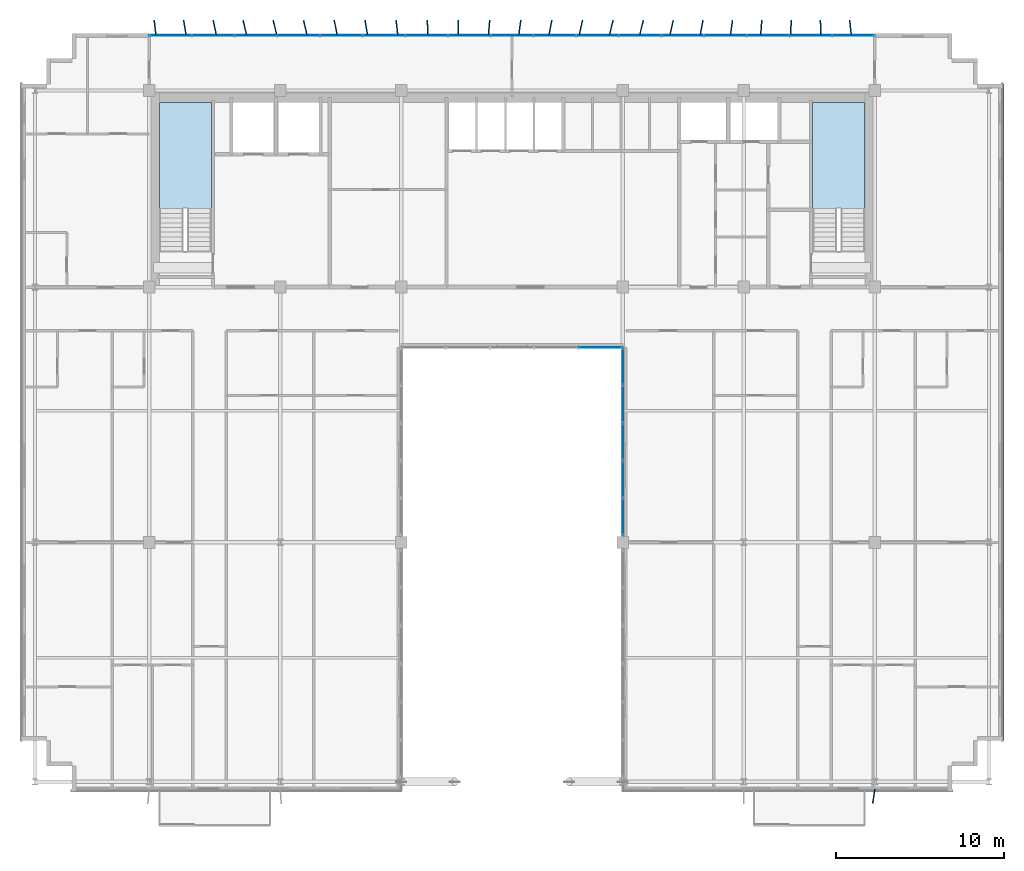
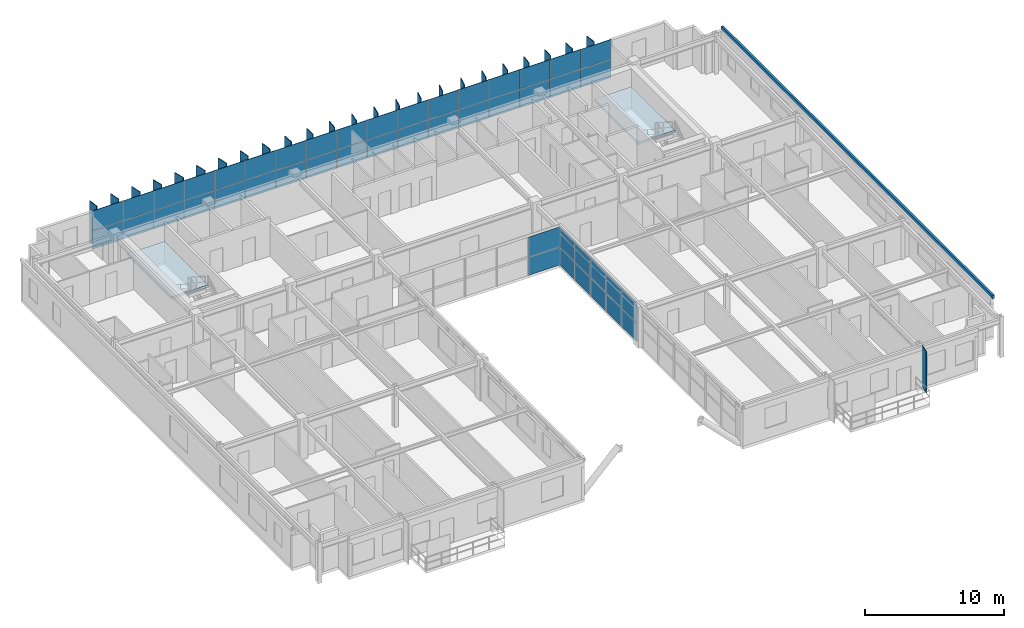
# One storey, part 27 of 35: 72 plates, 2 slabs, 5 elements without a shape of their own.
"""IFC4 building model written with IfcOpenShell, lengths in metres."""

from ifc_helpers import new_model, si_unit, direction, frame, origin, origin_2d, place, context, subcontext, project, spatial, polyline, rectangle, outline, extrude, source, transform, mapped, material, layer, layer_set, type_object, element, aggregate, save


model = new_model("IFC4")

# Units and contexts
model_context = context("Model", 3, precision=1e-05, world=origin(), true_north=direction((0.0, 1.0)))
body_context = subcontext(model_context, "Body", "Model", "MODEL_VIEW")
ifc_project = project(units=[si_unit("LENGTHUNIT", "METRE"), si_unit("AREAUNIT", "SQUARE_METRE"), si_unit("VOLUMEUNIT", "CUBIC_METRE"), si_unit("PLANEANGLEUNIT", "RADIAN"), si_unit("MASSUNIT", "GRAM", prefix="KILO")], contexts=[model_context])

# Site, building, storey
site_placement = place(None, origin())
site = spatial("IfcSite", under=ifc_project, at=site_placement, CompositionType="ELEMENT")
building_placement = place(site_placement, origin())
building = spatial("IfcBuilding", under=site, at=building_placement, Name="Trelvane Seafront Commons", CompositionType="ELEMENT")
storey_placement = place(building_placement, frame((0.0, 0.0, 194.10009765625)))
storey = spatial("IfcBuildingStorey", under=building, at=storey_placement, Name="L50", CompositionType="ELEMENT", Elevation=194.10009765625)

# Stair, slab
ifc_material_1 = material(Name="Concrete C40/50", Category="concrete")
stair_type_1 = type_object("IfcStairType", Name="ARCH-STR-ST-1-R20-180", PredefinedType="HALF_TURN_STAIR", material=ifc_material_1)
stair_1_placement = place(storey_placement, origin())
stair_1 = element("IfcStair", 1, at=stair_1_placement, inside=storey, type_object=stair_type_1, Name="L50 West Protected Firefighting Exit Stair ST-1", PredefinedType="HALF_TURN_STAIR")
ifc_layer_1 = layer(ifc_material_1, 0.199951171875, Name="ARCH-LND-200")
ifc_layer_set_1 = layer_set([ifc_layer_1], Name="Concrete C40/50")
slab_type = type_object("IfcSlabType", Name="ARCH-LND-200", PredefinedType="LANDING", material=ifc_layer_set_1)
slab_1_placement = place(storey_placement, frame((0.0, 0.0, 1.599853515625)))
slab_1 = element("IfcSlab", 2, at=slab_1_placement, type_object=slab_type, Name="ST-1 landing 1", PredefinedType="LANDING", context=body_context, shape_type="SweptSolid", body=[
    extrude(outline(polyline([(19.300048828125, 38.070068359375), (19.300048828125, 44.39990234375), (16.199951171875, 44.39990234375), (16.199951171875, 38.070068359375), (19.300048828125, 38.070068359375)])), origin(), (0.0, 0.0, 1.0), 0.199951171875),
])
aggregate(stair_1, [slab_1])

stair_type_2 = type_object("IfcStairType", Name="ARCH-STR-ST-2-R20-180", PredefinedType="HALF_TURN_STAIR", material=ifc_material_1)
stair_2_placement = place(storey_placement, origin())
stair_2 = element("IfcStair", 3, at=stair_2_placement, inside=storey, type_object=stair_type_2, Name="L50 East Protected Firefighting Exit Stair ST-2", PredefinedType="HALF_TURN_STAIR")
slab_2_placement = place(storey_placement, frame((0.0, 0.0, 1.599853515625)))
slab_2 = element("IfcSlab", 4, at=slab_2_placement, type_object=slab_type, Name="ST-2 landing 1", PredefinedType="LANDING", context=body_context, shape_type="SweptSolid", body=[
    extrude(outline(polyline([(58.199951171875, 38.070068359375), (58.199951171875, 44.39990234375), (55.10009765625, 44.39990234375), (55.10009765625, 38.070068359375), (58.199951171875, 38.070068359375)])), origin(), (0.0, 0.0, 1.0), 0.199951171875),
])
aggregate(stair_2, [slab_2])

# Plates
ifc_material_2 = material(Name="Anodised pale-silver aluminium", Category="aluminium")
ifc_layer_2 = layer(ifc_material_2, 0.06005859375, Name="ARCH-PLATE-FIN900")
ifc_layer_set_2 = layer_set([ifc_layer_2], Name="Anodised pale-silver aluminium")
plate_type_1 = type_object("IfcPlateType", Name="ARCH-PLATE-FIN900", PredefinedType="USERDEFINED", material=ifc_layer_set_2)
shared_shape_1 = source(origin(), body_context, "Body", "SweptSolid", [
    extrude(rectangle(XDim=0.89990234375, YDim=0.06005859375, at=origin_2d()), origin(), (0.0, 0.0, 1.0), 3.639892578125),
])
for number, where, z_axis, x_axis, name in (
    (5, (15.94970703125, 48.84716796875, -0.02001953125), (0.0, 0.0, 1.0), (-0.111553919957, 0.993758382577, 0.0), "FIN-L50-01365"),
    (6, (17.7255859375, 48.84375, -0.02001953125), (0.0, 0.0, 1.0), (-0.165551952439, 0.986201070291, 0.0), "FIN-L50-01366"),
    (7, (19.5068359375, 48.840087890625, -0.02001953125), (0.0, 0.0, 1.0), (-0.206895801068, 0.978362983509, 0.0), "FIN-L50-01367"),
    (8, (21.295166015625, 48.837646484375, -0.02001953125), (0.0, 0.0, 1.0), (-0.232902253662, 0.972500149223, 0.0), "FIN-L50-01368"),
    (9, (23.091064453125, 48.836669921875, -0.02001953125), (0.0, 0.0, 1.0), (-0.241881251735, 0.970305859025, 0.0), "FIN-L50-01369"),
    (10, (24.89501953125, 48.837646484375, -0.02001953125), (0.0, 0.0, 1.0), (-0.233323170405, 0.97239924833, 0.0), "FIN-L50-01370"),
    (11, (26.70654296875, 48.840087890625, -0.02001953125), (0.0, 0.0, 1.0), (-0.207662434386, 0.978200548633, 0.0), "FIN-L50-01371"),
    (12, (28.525146484375, 48.84375, -0.02001953125), (0.0, 0.0, 1.0), (-0.166560515584, 0.986031234114, 0.0), "FIN-L50-01372"),
    (13, (30.34912109375, 48.84716796875, -0.02001953125), (0.0, 0.0, 1.0), (-0.112773143891, 0.993620761668, 0.0), "FIN-L50-01373"),
    (14, (32.177490234375, 48.849609375, -0.02001953125), (0.0, 0.0, 1.0), (-0.05033147423, 0.998732568159, 0.0), "FIN-L50-01374"),
    (15, (34.007080078125, 48.849853515625, -0.02001953125), (0.0, 0.0, 1.0), (0.016000495773, 0.999871983873, 0.0), "FIN-L50-01375"),
    (16, (35.83642578125, 48.848388671875, -0.02001953125), (0.0, 0.0, 1.0), (0.081113976462, 0.996704832346, 0.0), "FIN-L50-01376"),
    (17, (37.6630859375, 48.845703125, -0.02001953125), (0.0, 0.0, 1.0), (0.139881686236, 0.990168225028, 0.0), "FIN-L50-01377"),
    (18, (39.484619140625, 48.842041015625, -0.02001953125), (0.0, 0.0, 1.0), (0.187989895788, 0.982170962247, 0.0), "FIN-L50-01378"),
    (19, (41.2998046875, 48.8388671875, -0.02001953125), (0.0, 0.0, 1.0), (0.222009703084, 0.975044456287, 0.0), "FIN-L50-01379"),
    (20, (43.10791015625, 48.8369140625, -0.02001953125), (0.0, 0.0, 1.0), (0.239658743326, 0.970857191737, 0.0), "FIN-L50-01380"),
    (21, (44.907958984375, 48.8369140625, -0.02001953125), (0.0, 0.0, 1.0), (0.239789215002, 0.970824975147, 0.0), "FIN-L50-01381"),
    (22, (46.7001953125, 48.838623046875, -0.02001953125), (0.0, 0.0, 1.0), (0.222562743762, 0.974918368423, 0.0), "FIN-L50-01382"),
    (23, (48.485107421875, 48.841796875, -0.02001953125), (0.0, 0.0, 1.0), (0.188888063982, 0.98199862489, 0.0), "FIN-L50-01383"),
    (24, (50.263427734375, 48.845458984375, -0.02001953125), (0.0, 0.0, 1.0), (0.141001450416, 0.99000938934, 0.0), "FIN-L50-01384"),
    (25, (52.037109375, 48.848388671875, -0.02001953125), (0.0, 0.0, 1.0), (0.082336838503, 0.996604557999, 0.0), "FIN-L50-01385"),
    (26, (53.807861328125, 48.849853515625, -0.02001953125), (0.0, 0.0, 1.0), (0.017331996934, 0.99984978966, 0.0), "FIN-L50-01386"),
    (27, (55.577880859375, 48.849609375, -0.02001953125), (0.0, 0.0, 1.0), (-0.049001431596, 0.9987987083, 0.0), "FIN-L50-01387"),
    (28, (57.349853515625, 48.84716796875, -0.02001953125), (0.0, 0.0, 1.0), (-0.111553919957, 0.993758382577, 0.0), "FIN-L50-01388"),
):
    element("IfcPlate", number, at=place(storey_placement, frame(where, z_axis=z_axis, x_axis=x_axis)), inside=storey, type_object=plate_type_1, Name=name, ObjectType="FIN", PredefinedType="USERDEFINED", context=body_context, shape_type="MappedRepresentation", body=[
        mapped(shared_shape_1, transform((0.0, 0.0, 0.0), x_axis=(1.0, 0.0, 0.0), y_axis=(0.0, 1.0, 0.0), z_axis=(0.0, 0.0, 1.0), scale=1.0)),
    ])
shared_shape_2 = source(origin(), body_context, "Body", "SweptSolid", [
    extrude(rectangle(XDim=0.85009765625, YDim=0.06005859375, at=origin_2d()), origin(), (0.0, 0.0, 1.0), 3.639892578125),
])
plate_1_placement = place(storey_placement, frame((58.736328125, 3.079833984375, -0.02001953125), z_axis=(0.0, 0.0, 1.0), x_axis=(-0.14976658388, -0.988721381559, 0.0)))
element("IfcPlate", 29, at=plate_1_placement, inside=storey, type_object=plate_type_1, Name="FIN-S-L50-01392", ObjectType="FIN", PredefinedType="USERDEFINED", context=body_context, shape_type="MappedRepresentation", body=[
    mapped(shared_shape_2, transform((0.0, 0.0, 0.0), x_axis=(1.0, 0.0, 0.0), y_axis=(0.0, 1.0, 0.0), z_axis=(0.0, 0.0, 1.0), scale=1.0)),
])

# Curtain wall, plates
curtain_wall_type_1 = type_object("IfcCurtainWallType", Name="ARCH-CW5-UPTOWER", PredefinedType="NOTDEFINED", material=ifc_material_2)
curtain_wall_1_placement = place(storey_placement, origin())
curtain_wall_1 = element("IfcCurtainWall", 30, at=curtain_wall_1_placement, inside=storey, type_object=curtain_wall_type_1, Name="CW-L50-0078", PredefinedType="NOTDEFINED")
ifc_material_3 = material(Name="Low-E coastal double glazing", Category="glass")
ifc_layer_3 = layer(ifc_material_3, 0.033935546875, Name="ARCH-CW-GLAZ-34")
ifc_layer_set_3 = layer_set([ifc_layer_3], Name="Low-E coastal double glazing")
plate_type_2 = type_object("IfcPlateType", Name="ARCH-CW-GLAZ-34", PredefinedType="CURTAIN_PANEL", material=ifc_layer_set_3)
shared_shape_3 = source(origin(), body_context, "Body", "SweptSolid", [
    extrude(rectangle(XDim=2.51708984375, YDim=0.033935546875, at=origin_2d()), origin(), (0.0, 0.0, 1.0), 1.594970703125),
])
plate_2_placement = place(storey_placement, frame((16.87060546875, 48.3701171875, 0.0), z_axis=(0.0, 0.0, 1.0), x_axis=(1.0, 0.0, 0.0)))
plate_2 = element("IfcPlate", 31, at=plate_2_placement, type_object=plate_type_2, Name="CW-L50-0078-P00-1", PredefinedType="CURTAIN_PANEL", context=body_context, shape_type="MappedRepresentation", body=[
    mapped(shared_shape_3, transform((0.0, 0.0, 0.0), x_axis=(1.0, 0.0, 0.0), y_axis=(0.0, 1.0, 0.0), z_axis=(0.0, 0.0, 1.0), scale=1.0)),
])
plate_3_placement = place(storey_placement, frame((19.411865234375, 48.3701171875, 0.0), z_axis=(0.0, 0.0, 1.0), x_axis=(1.0, 0.0, 0.0)))
plate_3 = element("IfcPlate", 32, at=plate_3_placement, type_object=plate_type_2, Name="CW-L50-0078-P01-1", PredefinedType="CURTAIN_PANEL", context=body_context, shape_type="MappedRepresentation", body=[
    mapped(shared_shape_3, transform((0.0, 0.0, 0.0), x_axis=(1.0, 0.0, 0.0), y_axis=(0.0, 1.0, 0.0), z_axis=(0.0, 0.0, 1.0), scale=1.0)),
])
plate_4_placement = place(storey_placement, frame((21.952880859375, 48.3701171875, 0.0), z_axis=(0.0, 0.0, 1.0), x_axis=(1.0, 0.0, 0.0)))
plate_4 = element("IfcPlate", 33, at=plate_4_placement, type_object=plate_type_2, Name="CW-L50-0078-P02-1", PredefinedType="CURTAIN_PANEL", context=body_context, shape_type="MappedRepresentation", body=[
    mapped(shared_shape_3, transform((0.0, 0.0, 0.0), x_axis=(1.0, 0.0, 0.0), y_axis=(0.0, 1.0, 0.0), z_axis=(0.0, 0.0, 1.0), scale=1.0)),
])
plate_5_placement = place(storey_placement, frame((24.494140625, 48.3701171875, 0.0), z_axis=(0.0, 0.0, 1.0), x_axis=(1.0, 0.0, 0.0)))
plate_5 = element("IfcPlate", 34, at=plate_5_placement, type_object=plate_type_2, Name="CW-L50-0078-P03-1", PredefinedType="CURTAIN_PANEL", context=body_context, shape_type="MappedRepresentation", body=[
    mapped(shared_shape_3, transform((0.0, 0.0, 0.0), x_axis=(1.0, 0.0, 0.0), y_axis=(0.0, 1.0, 0.0), z_axis=(0.0, 0.0, 1.0), scale=1.0)),
])
plate_6_placement = place(storey_placement, frame((27.035400390625, 48.3701171875, 0.0), z_axis=(0.0, 0.0, 1.0), x_axis=(1.0, 0.0, 0.0)))
plate_6 = element("IfcPlate", 35, at=plate_6_placement, type_object=plate_type_2, Name="CW-L50-0078-P04-1", PredefinedType="CURTAIN_PANEL", context=body_context, shape_type="MappedRepresentation", body=[
    mapped(shared_shape_3, transform((0.0, 0.0, 0.0), x_axis=(1.0, 0.0, 0.0), y_axis=(0.0, 1.0, 0.0), z_axis=(0.0, 0.0, 1.0), scale=1.0)),
])
plate_7_placement = place(storey_placement, frame((29.576416015625, 48.3701171875, 0.0), z_axis=(0.0, 0.0, 1.0), x_axis=(1.0, 0.0, 0.0)))
plate_7 = element("IfcPlate", 36, at=plate_7_placement, type_object=plate_type_2, Name="CW-L50-0078-P05-1", PredefinedType="CURTAIN_PANEL", context=body_context, shape_type="MappedRepresentation", body=[
    mapped(shared_shape_3, transform((0.0, 0.0, 0.0), x_axis=(1.0, 0.0, 0.0), y_axis=(0.0, 1.0, 0.0), z_axis=(0.0, 0.0, 1.0), scale=1.0)),
])
plate_8_placement = place(storey_placement, frame((32.11767578125, 48.3701171875, 0.0), z_axis=(0.0, 0.0, 1.0), x_axis=(1.0, 0.0, 0.0)))
plate_8 = element("IfcPlate", 37, at=plate_8_placement, type_object=plate_type_2, Name="CW-L50-0078-P06-1", PredefinedType="CURTAIN_PANEL", context=body_context, shape_type="MappedRepresentation", body=[
    mapped(shared_shape_3, transform((0.0, 0.0, 0.0), x_axis=(1.0, 0.0, 0.0), y_axis=(0.0, 1.0, 0.0), z_axis=(0.0, 0.0, 1.0), scale=1.0)),
])
plate_9_placement = place(storey_placement, frame((34.65869140625, 48.3701171875, 0.0), z_axis=(0.0, 0.0, 1.0), x_axis=(1.0, 0.0, 0.0)))
plate_9 = element("IfcPlate", 38, at=plate_9_placement, type_object=plate_type_2, Name="CW-L50-0078-P07-1", PredefinedType="CURTAIN_PANEL", context=body_context, shape_type="MappedRepresentation", body=[
    mapped(shared_shape_3, transform((0.0, 0.0, 0.0), x_axis=(1.0, 0.0, 0.0), y_axis=(0.0, 1.0, 0.0), z_axis=(0.0, 0.0, 1.0), scale=1.0)),
])
plate_10_placement = place(storey_placement, frame((37.199951171875, 48.3701171875, 0.0), z_axis=(0.0, 0.0, 1.0), x_axis=(1.0, 0.0, 0.0)))
plate_10 = element("IfcPlate", 39, at=plate_10_placement, type_object=plate_type_2, Name="CW-L50-0078-P08-1", PredefinedType="CURTAIN_PANEL", context=body_context, shape_type="MappedRepresentation", body=[
    mapped(shared_shape_3, transform((0.0, 0.0, 0.0), x_axis=(1.0, 0.0, 0.0), y_axis=(0.0, 1.0, 0.0), z_axis=(0.0, 0.0, 1.0), scale=1.0)),
])
plate_11_placement = place(storey_placement, frame((39.7412109375, 48.3701171875, 0.0), z_axis=(0.0, 0.0, 1.0), x_axis=(1.0, 0.0, 0.0)))
plate_11 = element("IfcPlate", 40, at=plate_11_placement, type_object=plate_type_2, Name="CW-L50-0078-P09-1", PredefinedType="CURTAIN_PANEL", context=body_context, shape_type="MappedRepresentation", body=[
    mapped(shared_shape_3, transform((0.0, 0.0, 0.0), x_axis=(1.0, 0.0, 0.0), y_axis=(0.0, 1.0, 0.0), z_axis=(0.0, 0.0, 1.0), scale=1.0)),
])
plate_12_placement = place(storey_placement, frame((42.282470703125, 48.3701171875, 0.0), z_axis=(0.0, 0.0, 1.0), x_axis=(1.0, 0.0, 0.0)))
plate_12 = element("IfcPlate", 41, at=plate_12_placement, type_object=plate_type_2, Name="CW-L50-0078-P10-1", PredefinedType="CURTAIN_PANEL", context=body_context, shape_type="MappedRepresentation", body=[
    mapped(shared_shape_3, transform((0.0, 0.0, 0.0), x_axis=(1.0, 0.0, 0.0), y_axis=(0.0, 1.0, 0.0), z_axis=(0.0, 0.0, 1.0), scale=1.0)),
])
plate_13_placement = place(storey_placement, frame((44.823486328125, 48.3701171875, 0.0), z_axis=(0.0, 0.0, 1.0), x_axis=(1.0, 0.0, 0.0)))
plate_13 = element("IfcPlate", 42, at=plate_13_placement, type_object=plate_type_2, Name="CW-L50-0078-P11-1", PredefinedType="CURTAIN_PANEL", context=body_context, shape_type="MappedRepresentation", body=[
    mapped(shared_shape_3, transform((0.0, 0.0, 0.0), x_axis=(1.0, 0.0, 0.0), y_axis=(0.0, 1.0, 0.0), z_axis=(0.0, 0.0, 1.0), scale=1.0)),
])
plate_14_placement = place(storey_placement, frame((47.36474609375, 48.3701171875, 0.0), z_axis=(0.0, 0.0, 1.0), x_axis=(1.0, 0.0, 0.0)))
plate_14 = element("IfcPlate", 43, at=plate_14_placement, type_object=plate_type_2, Name="CW-L50-0078-P12-1", PredefinedType="CURTAIN_PANEL", context=body_context, shape_type="MappedRepresentation", body=[
    mapped(shared_shape_3, transform((0.0, 0.0, 0.0), x_axis=(1.0, 0.0, 0.0), y_axis=(0.0, 1.0, 0.0), z_axis=(0.0, 0.0, 1.0), scale=1.0)),
])
plate_15_placement = place(storey_placement, frame((49.906005859375, 48.3701171875, 0.0), z_axis=(0.0, 0.0, 1.0), x_axis=(1.0, 0.0, 0.0)))
plate_15 = element("IfcPlate", 44, at=plate_15_placement, type_object=plate_type_2, Name="CW-L50-0078-P13-1", PredefinedType="CURTAIN_PANEL", context=body_context, shape_type="MappedRepresentation", body=[
    mapped(shared_shape_3, transform((0.0, 0.0, 0.0), x_axis=(1.0, 0.0, 0.0), y_axis=(0.0, 1.0, 0.0), z_axis=(0.0, 0.0, 1.0), scale=1.0)),
])
plate_16_placement = place(storey_placement, frame((52.447021484375, 48.3701171875, 0.0), z_axis=(0.0, 0.0, 1.0), x_axis=(1.0, 0.0, 0.0)))
plate_16 = element("IfcPlate", 45, at=plate_16_placement, type_object=plate_type_2, Name="CW-L50-0078-P14-1", PredefinedType="CURTAIN_PANEL", context=body_context, shape_type="MappedRepresentation", body=[
    mapped(shared_shape_3, transform((0.0, 0.0, 0.0), x_axis=(1.0, 0.0, 0.0), y_axis=(0.0, 1.0, 0.0), z_axis=(0.0, 0.0, 1.0), scale=1.0)),
])
plate_17_placement = place(storey_placement, frame((54.98828125, 48.3701171875, 0.0), z_axis=(0.0, 0.0, 1.0), x_axis=(1.0, 0.0, 0.0)))
plate_17 = element("IfcPlate", 46, at=plate_17_placement, type_object=plate_type_2, Name="CW-L50-0078-P15-1", PredefinedType="CURTAIN_PANEL", context=body_context, shape_type="MappedRepresentation", body=[
    mapped(shared_shape_3, transform((0.0, 0.0, 0.0), x_axis=(1.0, 0.0, 0.0), y_axis=(0.0, 1.0, 0.0), z_axis=(0.0, 0.0, 1.0), scale=1.0)),
])
plate_18_placement = place(storey_placement, frame((57.529296875, 48.3701171875, 0.0), z_axis=(0.0, 0.0, 1.0), x_axis=(1.0, 0.0, 0.0)))
plate_18 = element("IfcPlate", 47, at=plate_18_placement, type_object=plate_type_2, Name="CW-L50-0078-P16-1", PredefinedType="CURTAIN_PANEL", context=body_context, shape_type="MappedRepresentation", body=[
    mapped(shared_shape_3, transform((0.0, 0.0, 0.0), x_axis=(1.0, 0.0, 0.0), y_axis=(0.0, 1.0, 0.0), z_axis=(0.0, 0.0, 1.0), scale=1.0)),
])
shared_shape_4 = source(origin(), body_context, "Body", "SweptSolid", [
    extrude(rectangle(XDim=2.51708984375, YDim=0.033935546875, at=origin_2d()), origin(), (0.0, 0.0, 1.0), 1.72900390625),
])
plate_19_placement = place(storey_placement, frame((16.87060546875, 48.3701171875, 1.630859375), z_axis=(0.0, 0.0, 1.0), x_axis=(1.0, 0.0, 0.0)))
plate_19 = element("IfcPlate", 48, at=plate_19_placement, type_object=plate_type_2, Name="CW-L50-0078-P00-2", PredefinedType="CURTAIN_PANEL", context=body_context, shape_type="MappedRepresentation", body=[
    mapped(shared_shape_4, transform((0.0, 0.0, 0.0), x_axis=(1.0, 0.0, 0.0), y_axis=(0.0, 1.0, 0.0), z_axis=(0.0, 0.0, 1.0), scale=1.0)),
])
plate_20_placement = place(storey_placement, frame((19.411865234375, 48.3701171875, 1.630859375), z_axis=(0.0, 0.0, 1.0), x_axis=(1.0, 0.0, 0.0)))
plate_20 = element("IfcPlate", 49, at=plate_20_placement, type_object=plate_type_2, Name="CW-L50-0078-P01-2", PredefinedType="CURTAIN_PANEL", context=body_context, shape_type="MappedRepresentation", body=[
    mapped(shared_shape_4, transform((0.0, 0.0, 0.0), x_axis=(1.0, 0.0, 0.0), y_axis=(0.0, 1.0, 0.0), z_axis=(0.0, 0.0, 1.0), scale=1.0)),
])
plate_21_placement = place(storey_placement, frame((21.952880859375, 48.3701171875, 1.630859375), z_axis=(0.0, 0.0, 1.0), x_axis=(1.0, 0.0, 0.0)))
plate_21 = element("IfcPlate", 50, at=plate_21_placement, type_object=plate_type_2, Name="CW-L50-0078-P02-2", PredefinedType="CURTAIN_PANEL", context=body_context, shape_type="MappedRepresentation", body=[
    mapped(shared_shape_4, transform((0.0, 0.0, 0.0), x_axis=(1.0, 0.0, 0.0), y_axis=(0.0, 1.0, 0.0), z_axis=(0.0, 0.0, 1.0), scale=1.0)),
])
plate_22_placement = place(storey_placement, frame((24.494140625, 48.3701171875, 1.630859375), z_axis=(0.0, 0.0, 1.0), x_axis=(1.0, 0.0, 0.0)))
plate_22 = element("IfcPlate", 51, at=plate_22_placement, type_object=plate_type_2, Name="CW-L50-0078-P03-2", PredefinedType="CURTAIN_PANEL", context=body_context, shape_type="MappedRepresentation", body=[
    mapped(shared_shape_4, transform((0.0, 0.0, 0.0), x_axis=(1.0, 0.0, 0.0), y_axis=(0.0, 1.0, 0.0), z_axis=(0.0, 0.0, 1.0), scale=1.0)),
])
plate_23_placement = place(storey_placement, frame((27.035400390625, 48.3701171875, 1.630859375), z_axis=(0.0, 0.0, 1.0), x_axis=(1.0, 0.0, 0.0)))
plate_23 = element("IfcPlate", 52, at=plate_23_placement, type_object=plate_type_2, Name="CW-L50-0078-P04-2", PredefinedType="CURTAIN_PANEL", context=body_context, shape_type="MappedRepresentation", body=[
    mapped(shared_shape_4, transform((0.0, 0.0, 0.0), x_axis=(1.0, 0.0, 0.0), y_axis=(0.0, 1.0, 0.0), z_axis=(0.0, 0.0, 1.0), scale=1.0)),
])
plate_24_placement = place(storey_placement, frame((29.576416015625, 48.3701171875, 1.630859375), z_axis=(0.0, 0.0, 1.0), x_axis=(1.0, 0.0, 0.0)))
plate_24 = element("IfcPlate", 53, at=plate_24_placement, type_object=plate_type_2, Name="CW-L50-0078-P05-2", PredefinedType="CURTAIN_PANEL", context=body_context, shape_type="MappedRepresentation", body=[
    mapped(shared_shape_4, transform((0.0, 0.0, 0.0), x_axis=(1.0, 0.0, 0.0), y_axis=(0.0, 1.0, 0.0), z_axis=(0.0, 0.0, 1.0), scale=1.0)),
])
plate_25_placement = place(storey_placement, frame((32.11767578125, 48.3701171875, 1.630859375), z_axis=(0.0, 0.0, 1.0), x_axis=(1.0, 0.0, 0.0)))
plate_25 = element("IfcPlate", 54, at=plate_25_placement, type_object=plate_type_2, Name="CW-L50-0078-P06-2", PredefinedType="CURTAIN_PANEL", context=body_context, shape_type="MappedRepresentation", body=[
    mapped(shared_shape_4, transform((0.0, 0.0, 0.0), x_axis=(1.0, 0.0, 0.0), y_axis=(0.0, 1.0, 0.0), z_axis=(0.0, 0.0, 1.0), scale=1.0)),
])
plate_26_placement = place(storey_placement, frame((34.65869140625, 48.3701171875, 1.630859375), z_axis=(0.0, 0.0, 1.0), x_axis=(1.0, 0.0, 0.0)))
plate_26 = element("IfcPlate", 55, at=plate_26_placement, type_object=plate_type_2, Name="CW-L50-0078-P07-2", PredefinedType="CURTAIN_PANEL", context=body_context, shape_type="MappedRepresentation", body=[
    mapped(shared_shape_4, transform((0.0, 0.0, 0.0), x_axis=(1.0, 0.0, 0.0), y_axis=(0.0, 1.0, 0.0), z_axis=(0.0, 0.0, 1.0), scale=1.0)),
])
plate_27_placement = place(storey_placement, frame((37.199951171875, 48.3701171875, 1.630859375), z_axis=(0.0, 0.0, 1.0), x_axis=(1.0, 0.0, 0.0)))
plate_27 = element("IfcPlate", 56, at=plate_27_placement, type_object=plate_type_2, Name="CW-L50-0078-P08-2", PredefinedType="CURTAIN_PANEL", context=body_context, shape_type="MappedRepresentation", body=[
    mapped(shared_shape_4, transform((0.0, 0.0, 0.0), x_axis=(1.0, 0.0, 0.0), y_axis=(0.0, 1.0, 0.0), z_axis=(0.0, 0.0, 1.0), scale=1.0)),
])
plate_28_placement = place(storey_placement, frame((39.7412109375, 48.3701171875, 1.630859375), z_axis=(0.0, 0.0, 1.0), x_axis=(1.0, 0.0, 0.0)))
plate_28 = element("IfcPlate", 57, at=plate_28_placement, type_object=plate_type_2, Name="CW-L50-0078-P09-2", PredefinedType="CURTAIN_PANEL", context=body_context, shape_type="MappedRepresentation", body=[
    mapped(shared_shape_4, transform((0.0, 0.0, 0.0), x_axis=(1.0, 0.0, 0.0), y_axis=(0.0, 1.0, 0.0), z_axis=(0.0, 0.0, 1.0), scale=1.0)),
])
plate_29_placement = place(storey_placement, frame((42.282470703125, 48.3701171875, 1.630859375), z_axis=(0.0, 0.0, 1.0), x_axis=(1.0, 0.0, 0.0)))
plate_29 = element("IfcPlate", 58, at=plate_29_placement, type_object=plate_type_2, Name="CW-L50-0078-P10-2", PredefinedType="CURTAIN_PANEL", context=body_context, shape_type="MappedRepresentation", body=[
    mapped(shared_shape_4, transform((0.0, 0.0, 0.0), x_axis=(1.0, 0.0, 0.0), y_axis=(0.0, 1.0, 0.0), z_axis=(0.0, 0.0, 1.0), scale=1.0)),
])
plate_30_placement = place(storey_placement, frame((44.823486328125, 48.3701171875, 1.630859375), z_axis=(0.0, 0.0, 1.0), x_axis=(1.0, 0.0, 0.0)))
plate_30 = element("IfcPlate", 59, at=plate_30_placement, type_object=plate_type_2, Name="CW-L50-0078-P11-2", PredefinedType="CURTAIN_PANEL", context=body_context, shape_type="MappedRepresentation", body=[
    mapped(shared_shape_4, transform((0.0, 0.0, 0.0), x_axis=(1.0, 0.0, 0.0), y_axis=(0.0, 1.0, 0.0), z_axis=(0.0, 0.0, 1.0), scale=1.0)),
])
plate_31_placement = place(storey_placement, frame((47.36474609375, 48.3701171875, 1.630859375), z_axis=(0.0, 0.0, 1.0), x_axis=(1.0, 0.0, 0.0)))
plate_31 = element("IfcPlate", 60, at=plate_31_placement, type_object=plate_type_2, Name="CW-L50-0078-P12-2", PredefinedType="CURTAIN_PANEL", context=body_context, shape_type="MappedRepresentation", body=[
    mapped(shared_shape_4, transform((0.0, 0.0, 0.0), x_axis=(1.0, 0.0, 0.0), y_axis=(0.0, 1.0, 0.0), z_axis=(0.0, 0.0, 1.0), scale=1.0)),
])
plate_32_placement = place(storey_placement, frame((49.906005859375, 48.3701171875, 1.630859375), z_axis=(0.0, 0.0, 1.0), x_axis=(1.0, 0.0, 0.0)))
plate_32 = element("IfcPlate", 61, at=plate_32_placement, type_object=plate_type_2, Name="CW-L50-0078-P13-2", PredefinedType="CURTAIN_PANEL", context=body_context, shape_type="MappedRepresentation", body=[
    mapped(shared_shape_4, transform((0.0, 0.0, 0.0), x_axis=(1.0, 0.0, 0.0), y_axis=(0.0, 1.0, 0.0), z_axis=(0.0, 0.0, 1.0), scale=1.0)),
])
plate_33_placement = place(storey_placement, frame((52.447021484375, 48.3701171875, 1.630859375), z_axis=(0.0, 0.0, 1.0), x_axis=(1.0, 0.0, 0.0)))
plate_33 = element("IfcPlate", 62, at=plate_33_placement, type_object=plate_type_2, Name="CW-L50-0078-P14-2", PredefinedType="CURTAIN_PANEL", context=body_context, shape_type="MappedRepresentation", body=[
    mapped(shared_shape_4, transform((0.0, 0.0, 0.0), x_axis=(1.0, 0.0, 0.0), y_axis=(0.0, 1.0, 0.0), z_axis=(0.0, 0.0, 1.0), scale=1.0)),
])
plate_34_placement = place(storey_placement, frame((54.98828125, 48.3701171875, 1.630859375), z_axis=(0.0, 0.0, 1.0), x_axis=(1.0, 0.0, 0.0)))
plate_34 = element("IfcPlate", 63, at=plate_34_placement, type_object=plate_type_2, Name="CW-L50-0078-P15-2", PredefinedType="CURTAIN_PANEL", context=body_context, shape_type="MappedRepresentation", body=[
    mapped(shared_shape_4, transform((0.0, 0.0, 0.0), x_axis=(1.0, 0.0, 0.0), y_axis=(0.0, 1.0, 0.0), z_axis=(0.0, 0.0, 1.0), scale=1.0)),
])
plate_35_placement = place(storey_placement, frame((57.529296875, 48.3701171875, 1.630859375), z_axis=(0.0, 0.0, 1.0), x_axis=(1.0, 0.0, 0.0)))
plate_35 = element("IfcPlate", 64, at=plate_35_placement, type_object=plate_type_2, Name="CW-L50-0078-P16-2", PredefinedType="CURTAIN_PANEL", context=body_context, shape_type="MappedRepresentation", body=[
    mapped(shared_shape_4, transform((0.0, 0.0, 0.0), x_axis=(1.0, 0.0, 0.0), y_axis=(0.0, 1.0, 0.0), z_axis=(0.0, 0.0, 1.0), scale=1.0)),
])
aggregate(curtain_wall_1, [plate_2, plate_19, plate_3, plate_20, plate_4, plate_21, plate_5, plate_22, plate_6, plate_23, plate_7, plate_24, plate_8, plate_25, plate_9, plate_26, plate_10, plate_27, plate_11, plate_28, plate_12, plate_29, plate_13, plate_30, plate_14, plate_31, plate_15, plate_32, plate_16, plate_33, plate_17, plate_34, plate_18, plate_35])

# Plate
ifc_layer_4 = layer(ifc_material_2, 0.179931640625, Name="ARCH-PLATE-AERO")
ifc_layer_set_4 = layer_set([ifc_layer_4], Name="Anodised pale-silver aluminium")
plate_type_3 = type_object("IfcPlateType", Name="ARCH-PLATE-AERO", PredefinedType="SHEET", material=ifc_layer_set_4)
shared_shape_5 = source(origin(), body_context, "Body", "SweptSolid", [
    extrude(rectangle(XDim=39.10009765625, YDim=0.179931640625, at=origin_2d()), origin(), (0.0, 0.0, 1.0), 0.320068359375),
])
plate_36_placement = place(storey_placement, frame((66.39990234375, 25.949951171875, 3.2998046875), z_axis=(0.0, 0.0, 1.0), x_axis=(0.0, -1.0, 0.0)))
element("IfcPlate", 65, at=plate_36_placement, inside=storey, type_object=plate_type_3, Name="AER-L50-00173", PredefinedType="SHEET", context=body_context, shape_type="MappedRepresentation", body=[
    mapped(shared_shape_5, transform((0.0, 0.0, 0.0), x_axis=(1.0, 0.0, 0.0), y_axis=(0.0, 1.0, 0.0), z_axis=(0.0, 0.0, 1.0), scale=1.0)),
])

# Curtain wall, plates
curtain_wall_type_2 = type_object("IfcCurtainWallType", Name="ARCH-CW3-PORTAL", PredefinedType="NOTDEFINED", material=ifc_material_2)
curtain_wall_2_placement = place(storey_placement, origin())
curtain_wall_2 = element("IfcCurtainWall", 66, at=curtain_wall_2_placement, inside=storey, type_object=curtain_wall_type_2, Name="CW-L50-VP-0082", PredefinedType="NOTDEFINED")
shared_shape_6 = source(origin(), body_context, "Body", "SweptSolid", [
    extrude(rectangle(XDim=2.216064453125, YDim=0.0380859375, at=origin_2d()), origin(), (0.0, 0.0, 1.0), 1.594970703125),
])
plate_37_placement = place(storey_placement, frame((43.800048828125, 28.679931640625, 0.0), z_axis=(0.0, 0.0, 1.0), x_axis=(0.0, -1.0, 0.0)))
plate_37 = element("IfcPlate", 67, at=plate_37_placement, type_object=plate_type_2, Name="CW-L50-VP-0082-P00-1", PredefinedType="CURTAIN_PANEL", context=body_context, shape_type="MappedRepresentation", body=[
    mapped(shared_shape_6, transform((0.0, 0.0, 0.0), x_axis=(1.0, 0.0, 0.0), y_axis=(0.0, 1.0, 0.0), z_axis=(0.0, 0.0, 1.0), scale=1.0)),
])
plate_38_placement = place(storey_placement, frame((43.800048828125, 26.43994140625, 0.0), z_axis=(0.0, 0.0, 1.0), x_axis=(0.0, -1.0, 0.0)))
plate_38 = element("IfcPlate", 68, at=plate_38_placement, type_object=plate_type_2, Name="CW-L50-VP-0082-P01-1", PredefinedType="CURTAIN_PANEL", context=body_context, shape_type="MappedRepresentation", body=[
    mapped(shared_shape_6, transform((0.0, 0.0, 0.0), x_axis=(1.0, 0.0, 0.0), y_axis=(0.0, 1.0, 0.0), z_axis=(0.0, 0.0, 1.0), scale=1.0)),
])
plate_39_placement = place(storey_placement, frame((43.800048828125, 24.199951171875, 0.0), z_axis=(0.0, 0.0, 1.0), x_axis=(0.0, -1.0, 0.0)))
plate_39 = element("IfcPlate", 69, at=plate_39_placement, type_object=plate_type_2, Name="CW-L50-VP-0082-P02-1", PredefinedType="CURTAIN_PANEL", context=body_context, shape_type="MappedRepresentation", body=[
    mapped(shared_shape_6, transform((0.0, 0.0, 0.0), x_axis=(1.0, 0.0, 0.0), y_axis=(0.0, 1.0, 0.0), z_axis=(0.0, 0.0, 1.0), scale=1.0)),
])
plate_40_placement = place(storey_placement, frame((43.800048828125, 21.9599609375, 0.0), z_axis=(0.0, 0.0, 1.0), x_axis=(0.0, -1.0, 0.0)))
plate_40 = element("IfcPlate", 70, at=plate_40_placement, type_object=plate_type_2, Name="CW-L50-VP-0082-P03-1", PredefinedType="CURTAIN_PANEL", context=body_context, shape_type="MappedRepresentation", body=[
    mapped(shared_shape_6, transform((0.0, 0.0, 0.0), x_axis=(1.0, 0.0, 0.0), y_axis=(0.0, 1.0, 0.0), z_axis=(0.0, 0.0, 1.0), scale=1.0)),
])
plate_41_placement = place(storey_placement, frame((43.800048828125, 19.719970703125, 0.0), z_axis=(0.0, 0.0, 1.0), x_axis=(0.0, -1.0, 0.0)))
plate_41 = element("IfcPlate", 71, at=plate_41_placement, type_object=plate_type_2, Name="CW-L50-VP-0082-P04-1", PredefinedType="CURTAIN_PANEL", context=body_context, shape_type="MappedRepresentation", body=[
    mapped(shared_shape_6, transform((0.0, 0.0, 0.0), x_axis=(1.0, 0.0, 0.0), y_axis=(0.0, 1.0, 0.0), z_axis=(0.0, 0.0, 1.0), scale=1.0)),
])
shared_shape_7 = source(origin(), body_context, "Body", "SweptSolid", [
    extrude(rectangle(XDim=2.216064453125, YDim=0.0380859375, at=origin_2d()), origin(), (0.0, 0.0, 1.0), 1.72900390625),
])
plate_42_placement = place(storey_placement, frame((43.800048828125, 28.679931640625, 1.630859375), z_axis=(0.0, 0.0, 1.0), x_axis=(0.0, -1.0, 0.0)))
plate_42 = element("IfcPlate", 72, at=plate_42_placement, type_object=plate_type_2, Name="CW-L50-VP-0082-P00-2", PredefinedType="CURTAIN_PANEL", context=body_context, shape_type="MappedRepresentation", body=[
    mapped(shared_shape_7, transform((0.0, 0.0, 0.0), x_axis=(1.0, 0.0, 0.0), y_axis=(0.0, 1.0, 0.0), z_axis=(0.0, 0.0, 1.0), scale=1.0)),
])
plate_43_placement = place(storey_placement, frame((43.800048828125, 26.43994140625, 1.630859375), z_axis=(0.0, 0.0, 1.0), x_axis=(0.0, -1.0, 0.0)))
plate_43 = element("IfcPlate", 73, at=plate_43_placement, type_object=plate_type_2, Name="CW-L50-VP-0082-P01-2", PredefinedType="CURTAIN_PANEL", context=body_context, shape_type="MappedRepresentation", body=[
    mapped(shared_shape_7, transform((0.0, 0.0, 0.0), x_axis=(1.0, 0.0, 0.0), y_axis=(0.0, 1.0, 0.0), z_axis=(0.0, 0.0, 1.0), scale=1.0)),
])
plate_44_placement = place(storey_placement, frame((43.800048828125, 24.199951171875, 1.630859375), z_axis=(0.0, 0.0, 1.0), x_axis=(0.0, -1.0, 0.0)))
plate_44 = element("IfcPlate", 74, at=plate_44_placement, type_object=plate_type_2, Name="CW-L50-VP-0082-P02-2", PredefinedType="CURTAIN_PANEL", context=body_context, shape_type="MappedRepresentation", body=[
    mapped(shared_shape_7, transform((0.0, 0.0, 0.0), x_axis=(1.0, 0.0, 0.0), y_axis=(0.0, 1.0, 0.0), z_axis=(0.0, 0.0, 1.0), scale=1.0)),
])
plate_45_placement = place(storey_placement, frame((43.800048828125, 21.9599609375, 1.630859375), z_axis=(0.0, 0.0, 1.0), x_axis=(0.0, -1.0, 0.0)))
plate_45 = element("IfcPlate", 75, at=plate_45_placement, type_object=plate_type_2, Name="CW-L50-VP-0082-P03-2", PredefinedType="CURTAIN_PANEL", context=body_context, shape_type="MappedRepresentation", body=[
    mapped(shared_shape_7, transform((0.0, 0.0, 0.0), x_axis=(1.0, 0.0, 0.0), y_axis=(0.0, 1.0, 0.0), z_axis=(0.0, 0.0, 1.0), scale=1.0)),
])
plate_46_placement = place(storey_placement, frame((43.800048828125, 19.719970703125, 1.630859375), z_axis=(0.0, 0.0, 1.0), x_axis=(0.0, -1.0, 0.0)))
plate_46 = element("IfcPlate", 76, at=plate_46_placement, type_object=plate_type_2, Name="CW-L50-VP-0082-P04-2", PredefinedType="CURTAIN_PANEL", context=body_context, shape_type="MappedRepresentation", body=[
    mapped(shared_shape_7, transform((0.0, 0.0, 0.0), x_axis=(1.0, 0.0, 0.0), y_axis=(0.0, 1.0, 0.0), z_axis=(0.0, 0.0, 1.0), scale=1.0)),
])
aggregate(curtain_wall_2, [plate_37, plate_42, plate_38, plate_43, plate_39, plate_44, plate_40, plate_45, plate_41, plate_46])

curtain_wall_3_placement = place(storey_placement, origin())
curtain_wall_3 = element("IfcCurtainWall", 77, at=curtain_wall_3_placement, inside=storey, type_object=curtain_wall_type_2, Name="CW-L50-VP-0081", PredefinedType="NOTDEFINED")
shared_shape_8 = source(origin(), body_context, "Body", "SweptSolid", [
    extrude(rectangle(XDim=2.615966796875, YDim=0.0380859375, at=origin_2d()), origin(), (0.0, 0.0, 1.0), 1.594970703125),
])
plate_47_placement = place(storey_placement, frame((42.47998046875, 29.800048828125, 0.0), z_axis=(0.0, 0.0, 1.0), x_axis=(1.0, 0.0, 0.0)))
plate_47 = element("IfcPlate", 78, at=plate_47_placement, type_object=plate_type_2, Name="CW-L50-VP-0081-P04-1", PredefinedType="CURTAIN_PANEL", context=body_context, shape_type="MappedRepresentation", body=[
    mapped(shared_shape_8, transform((0.0, 0.0, 0.0), x_axis=(1.0, 0.0, 0.0), y_axis=(0.0, 1.0, 0.0), z_axis=(0.0, 0.0, 1.0), scale=1.0)),
])
shared_shape_9 = source(origin(), body_context, "Body", "SweptSolid", [
    extrude(rectangle(XDim=2.615966796875, YDim=0.0380859375, at=origin_2d()), origin(), (0.0, 0.0, 1.0), 1.72900390625),
])
plate_48_placement = place(storey_placement, frame((42.47998046875, 29.800048828125, 1.630859375), z_axis=(0.0, 0.0, 1.0), x_axis=(1.0, 0.0, 0.0)))
plate_48 = element("IfcPlate", 79, at=plate_48_placement, type_object=plate_type_2, Name="CW-L50-VP-0081-P04-2", PredefinedType="CURTAIN_PANEL", context=body_context, shape_type="MappedRepresentation", body=[
    mapped(shared_shape_9, transform((0.0, 0.0, 0.0), x_axis=(1.0, 0.0, 0.0), y_axis=(0.0, 1.0, 0.0), z_axis=(0.0, 0.0, 1.0), scale=1.0)),
])
aggregate(curtain_wall_3, [plate_47, plate_48])

save(model, "model.ifc")
